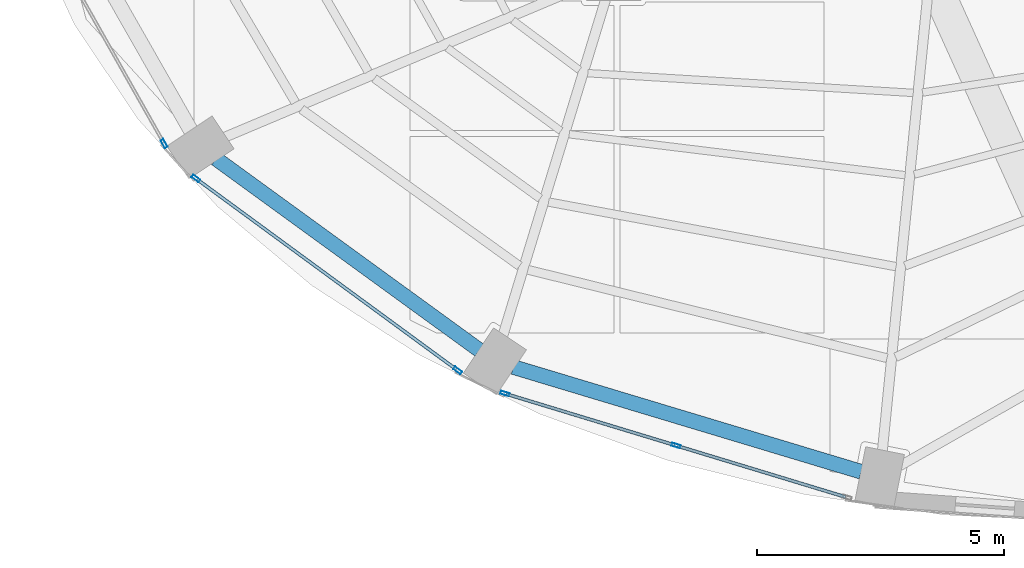
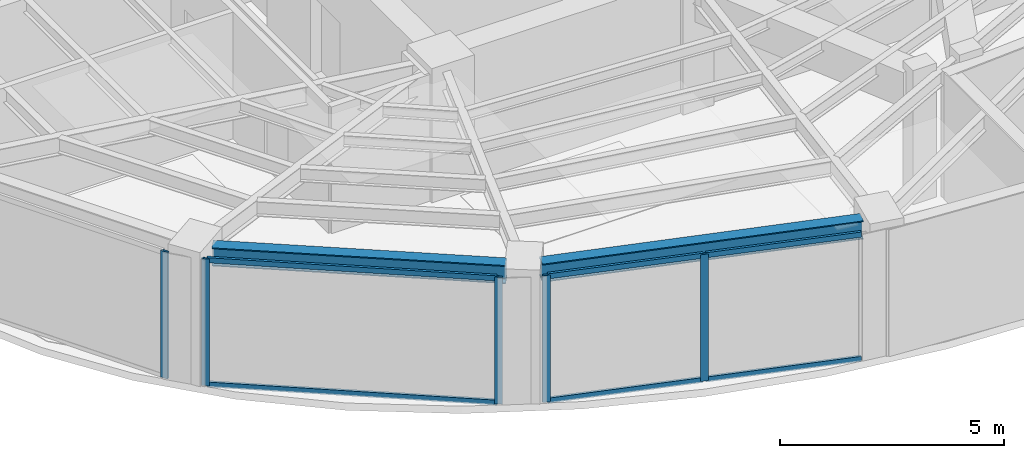
# One storey, part 2 of 23: 11 members, 2 beams, 3 elements without a shape of their own.
"""IFC4 building model written with IfcOpenShell, lengths in metres."""

import ifcopenshell
import ifcopenshell.guid

model = None  # the IFC model being written
_history = None  # IfcOwnerHistory: only IFC2X3 demands one
_inside = {}  # id of a spatial element -> (the spatial element, [elements in it])
_under = {}  # id of a project, library or spatial element -> (it, [spatial elements below it])
_declared = {}  # id of a project -> (the project, [libraries it declares])
_typed = {}  # id of a type object -> (the type object, [elements of that type])
_made_of = {}  # id of a material, layer set ... -> (it, [elements and type objects made of it])


def new_model(schema):
    """Start an empty IFC model of exactly this schema.

    Asked for "IFC4X3", IfcOpenShell would pick the latest addendum, in which some entities
    have other attributes; the version numbers below select the first issue.
    IFC2X3 requires an IfcOwnerHistory on every rooted entity: one is made here for all.
    """
    global model, _history
    if schema == "IFC4X3":
        model = ifcopenshell.file(schema_version=(4, 3, 0, 0))
    else:
        model = ifcopenshell.file(schema=schema)
    _inside.clear()
    _under.clear()
    _declared.clear()
    _typed.clear()
    _made_of.clear()
    _history = None
    if model.schema == "IFC2X3":
        org = make("IfcOrganization", Name="unknown")
        user = make(
            "IfcPersonAndOrganization",
            ThePerson=make("IfcPerson", FamilyName="unknown"),
            TheOrganization=org,
        )
        app = make(
            "IfcApplication",
            ApplicationDeveloper=org,
            Version="unknown",
            ApplicationFullName="unknown",
            ApplicationIdentifier="unknown",
        )
        _history = make(
            "IfcOwnerHistory",
            OwningUser=user,
            OwningApplication=app,
            ChangeAction="ADDED",
            CreationDate=0,
        )
    return model


def make(cls, **values):
    """One entity of the class cls with the attributes given. An attribute that is None is left unset."""
    return model.create_entity(
        cls, **{name: value for name, value in values.items() if value is not None}
    )


def rooted(cls, **values):
    """An entity with a GlobalId (a new one), such as an element, a storey or a relation."""
    return make(cls, GlobalId=ifcopenshell.guid.new(), OwnerHistory=_history, **values)


def si_unit(unit_type, name, prefix=None):
    """IfcSIUnit, for example si_unit("LENGTHUNIT", "METRE", prefix="MILLI")."""
    return make("IfcSIUnit", UnitType=unit_type, Prefix=prefix, Name=name)


def assignment(units):
    """IfcUnitAssignment: the units of a project."""
    return None if units is None else make("IfcUnitAssignment", Units=units)


def point(xyz):
    """IfcCartesianPoint."""
    return None if xyz is None else make("IfcCartesianPoint", Coordinates=xyz)


def direction(xyz):
    """IfcDirection."""
    return None if xyz is None else make("IfcDirection", DirectionRatios=xyz)


def frame(location, z_axis=None, x_axis=None):
    """IfcAxis2Placement3D, a coordinate frame: its origin and axes. An axis left out is left unset."""
    return make(
        "IfcAxis2Placement3D",
        Location=point(location),
        Axis=direction(z_axis),
        RefDirection=direction(x_axis),
    )


def frame_2d(location, x_axis=None):
    """IfcAxis2Placement2D, a coordinate frame in the plane: its origin and x axis."""
    return make(
        "IfcAxis2Placement2D", Location=point(location), RefDirection=direction(x_axis)
    )


def origin():
    """The frame at (0, 0, 0) with its axes left unset."""
    return frame((0.0, 0.0, 0.0))


def origin_2d():
    """The frame at (0, 0) in the plane with its x axis left unset."""
    return frame_2d((0.0, 0.0))


def place(relative_to, where):
    """IfcLocalPlacement: puts the frame where relative to a parent placement (None: the world)."""
    return make(
        "IfcLocalPlacement", PlacementRelTo=relative_to, RelativePlacement=where
    )


def context(
    kind, dimensions, precision=None, world=None, true_north=None, identifier=None
):
    """IfcGeometricRepresentationContext, for example the 3D "Model" context."""
    return make(
        "IfcGeometricRepresentationContext",
        ContextIdentifier=identifier,
        ContextType=kind,
        CoordinateSpaceDimension=dimensions,
        Precision=precision,
        WorldCoordinateSystem=world,
        TrueNorth=true_north,
    )


def subcontext(parent, identifier, kind, view, scale=None):
    """IfcGeometricRepresentationSubContext, for example "Body" below "Model"."""
    return make(
        "IfcGeometricRepresentationSubContext",
        ContextIdentifier=identifier,
        ContextType=kind,
        ParentContext=parent,
        TargetScale=scale,
        TargetView=view,
    )


def project(units=None, contexts=None):
    """IfcProject with its units and contexts."""
    return rooted(
        "IfcProject",
        Name="project",
        RepresentationContexts=contexts,
        UnitsInContext=assignment(units),
    )


def spatial(cls, under=None, at=None, **own):
    """A site, building, storey or space (cls), placed at a placement, below another one or the project."""
    s = rooted(cls, ObjectPlacement=at, **own)
    if under is not None:
        _under.setdefault(under.id(), (under, []))[1].append(s)
    return s


def profile(cls, at=None, kind="AREA", **sizes):
    """A parametric profile (cls). Its sizes go by their IFC names, for example OverallWidth=200.0."""
    return make(cls, ProfileType=kind, Position=at, **sizes)


def hollow_rectangle(**sizes):
    """IfcRectangleHollowProfileDef."""
    return profile("IfcRectangleHollowProfileDef", **sizes)


def i_section(**sizes):
    """IfcIShapeProfileDef."""
    return profile("IfcIShapeProfileDef", **sizes)


def extrude(swept, where, along, depth):
    """IfcExtrudedAreaSolid: the profile swept, set in the frame where, extruded along a direction by depth."""
    return make(
        "IfcExtrudedAreaSolid",
        SweptArea=swept,
        Position=where,
        ExtrudedDirection=direction(along),
        Depth=depth,
    )


def shape(context_of_items, identifier, shape_type, items):
    """IfcShapeRepresentation: the items that make up one representation, for example the "Body"."""
    return make(
        "IfcShapeRepresentation",
        ContextOfItems=context_of_items,
        RepresentationIdentifier=identifier,
        RepresentationType=shape_type,
        Items=items,
    )


def material(Name=None, Category=None):
    """IfcMaterial."""
    return make("IfcMaterial", Name=Name, Category=Category)


def layer(
    of_material, thickness, ventilated=None, Name=None, Category=None, Priority=None
):
    """IfcMaterialLayer: one layer of a wall or slab, of a material (None: an air gap)."""
    return make(
        "IfcMaterialLayer",
        Material=of_material,
        LayerThickness=thickness,
        IsVentilated=ventilated,
        Name=Name,
        Category=Category,
        Priority=Priority,
    )


def layer_set(layers, Name=None):
    """IfcMaterialLayerSet."""
    return make("IfcMaterialLayerSet", MaterialLayers=layers, LayerSetName=Name)


def material_profile(
    of_material, cross_section, Name=None, Category=None, Priority=None
):
    """IfcMaterialProfile: a cross section and its material."""
    return make(
        "IfcMaterialProfile",
        Name=Name,
        Material=of_material,
        Profile=cross_section,
        Priority=Priority,
        Category=Category,
    )


def profile_set(profiles, Name=None, composite=None):
    """IfcMaterialProfileSet."""
    return make(
        "IfcMaterialProfileSet",
        Name=Name,
        MaterialProfiles=profiles,
        CompositeProfile=composite,
    )


def made_of(thing, what):
    """Note that an element or type object is made of a material, layer set ...; save() writes the relation."""
    if what is not None:
        _made_of.setdefault(what.id(), (what, []))[1].append(thing)
    return thing


def type_object(cls, material=None, **own):
    """A type object (cls), such as IfcWallType, which elements share."""
    return made_of(rooted(cls, **own), material)


def element(
    cls,
    number,
    at=None,
    inside=None,
    cuts=None,
    type_object=None,
    material=None,
    context=None,
    identifier="Body",
    shape_type=None,
    held_by="IfcProductDefinitionShape",
    body=None,
    shapes=None,
    **own,
):
    """One element of the class cls, such as IfcWall. Its Tag is "e" and its number.

    at: its placement. inside: the storey or other place that contains it. cuts: it is an
    opening in that element (IfcRelVoidsElement). A single representation is given by context,
    identifier, shape_type and body (its items); several are given by shapes. held_by: the class
    of the entity that holds the representations. save() writes the other relations.
    """
    e = rooted(cls, Tag="e%d" % number, ObjectPlacement=at, **own)
    if body is not None:
        shapes = [shape(context, identifier, shape_type, body)]
    if shapes is not None:
        e.Representation = make(held_by, Representations=shapes)
    if inside is not None:
        _inside.setdefault(inside.id(), (inside, []))[1].append(e)
    if cuts is not None:
        rooted(
            "IfcRelVoidsElement", RelatingBuildingElement=cuts, RelatedOpeningElement=e
        )
    if type_object is not None:
        _typed.setdefault(type_object.id(), (type_object, []))[1].append(e)
    return made_of(e, material)


def aggregate(whole, parts):
    """IfcRelAggregates: a whole, such as a stair, and the parts it consists of."""
    return rooted("IfcRelAggregates", RelatingObject=whole, RelatedObjects=parts)


def save(model, path):
    """Write the relations noted so far, then the file.

    IfcRelAggregates (storeys below a building ...), IfcRelContainedInSpatialStructure (elements
    in a storey), IfcRelDefinesByType, IfcRelAssociatesMaterial and IfcRelDeclares: one each for
    every whole, place, type object, material and project.
    """
    for whole, parts in _under.values():
        aggregate(whole, parts)
    for where, things in _inside.values():
        rooted(
            "IfcRelContainedInSpatialStructure",
            RelatedElements=things,
            RelatingStructure=where,
        )
    for kind, things in _typed.values():
        rooted("IfcRelDefinesByType", RelatedObjects=things, RelatingType=kind)
    for what, things in _made_of.values():
        rooted("IfcRelAssociatesMaterial", RelatedObjects=things, RelatingMaterial=what)
    for by, libraries in _declared.values():
        rooted("IfcRelDeclares", RelatingContext=by, RelatedDefinitions=libraries)
    model.write(path)


model = new_model("IFC4")

# Units and contexts
model_context = context("Model", 3, precision=1e-05, world=origin(), true_north=direction((0.0, 1.0)))
body_context = subcontext(model_context, "Body", "Model", "MODEL_VIEW")
ifc_project = project(units=[si_unit("LENGTHUNIT", "METRE"), si_unit("AREAUNIT", "SQUARE_METRE"), si_unit("VOLUMEUNIT", "CUBIC_METRE"), si_unit("PLANEANGLEUNIT", "RADIAN"), si_unit("MASSUNIT", "GRAM", prefix="KILO")], contexts=[model_context])

# Site, building, storey
site_placement = place(None, origin())
site = spatial("IfcSite", under=ifc_project, at=site_placement, CompositionType="ELEMENT")
building_placement = place(site_placement, origin())
building = spatial("IfcBuilding", under=site, at=building_placement, Name="Lazwardi Medical Tower", CompositionType="ELEMENT")
storey_placement = place(building_placement, frame((0.0, 0.0, 198.47998046875)))
storey = spatial("IfcBuildingStorey", under=building, at=storey_placement, Name="L51", CompositionType="ELEMENT", Elevation=198.47998046875)

# Beams
ifc_material_1 = material(Name="Steel S355", Category="steel")
ifc_material_profile_1 = material_profile(ifc_material_1, i_section(OverallWidth=0.300048828125, OverallDepth=0.5, WebThickness=0.014404296875, FlangeThickness=0.028076171875, at=origin_2d()), Name="HEB 500")
ifc_profile_set_1 = profile_set([ifc_material_profile_1], Name="Steel S355")
beam_type = type_object("IfcBeamType", Name="BM-RB-Z4", PredefinedType="BEAM", material=ifc_profile_set_1)
beam_1_placement = place(storey_placement, frame((18.355712890625, 16.648193359375, 3.197998046875), z_axis=(0.808889916254, -0.587960120571, 0.0), x_axis=(0.587960120571, 0.808889916254, 0.0)))
element("IfcBeam", 1, at=beam_1_placement, inside=storey, type_object=beam_type, Name="Ring beam RB-05 B14 L51", PredefinedType="BEAM", context=body_context, shape_type="SweptSolid", body=[
    extrude(i_section(OverallWidth=0.300048828125, OverallDepth=0.5, WebThickness=0.014404296875, FlangeThickness=0.028076171875, at=origin_2d()), origin(), (0.0, 0.0, 1.0), 6.587158203125),
])
beam_2_placement = place(storey_placement, frame((24.373046875, 12.43359375, 3.197998046875), z_axis=(0.957544311906, -0.288286126506, 0.0), x_axis=(0.288286126506, 0.957544311906, 0.0)))
element("IfcBeam", 2, at=beam_2_placement, inside=storey, type_object=beam_type, Name="Ring beam RB-05 B15 L51", PredefinedType="BEAM", context=body_context, shape_type="SweptSolid", body=[
    extrude(i_section(OverallWidth=0.300048828125, OverallDepth=0.5, WebThickness=0.014404296875, FlangeThickness=0.028076171875, at=origin_2d()), origin(), (0.0, 0.0, 1.0), 7.3515625),
])

# Curtain wall, member
ifc_material_2 = material(Name="Anodised bronze aluminium and solar control glazing", Category="aluminium")
ifc_layer = layer(ifc_material_2, 0.18994140625)
ifc_layer_set = layer_set([ifc_layer], Name="Anodised bronze aluminium and solar control glazing")
curtain_wall_type = type_object("IfcCurtainWallType", Name="CW-SYS-04", PredefinedType="NOTDEFINED", material=ifc_layer_set)
curtain_wall_1_placement = place(storey_placement, origin())
curtain_wall_1 = element("IfcCurtainWall", 3, at=curtain_wall_1_placement, inside=storey, type_object=curtain_wall_type, Name="L51 Unitised bronze curtain wall CW-04", PredefinedType="NOTDEFINED")
ifc_material_3 = material(Name="Anodised bronze aluminium", Category="aluminium")
ifc_material_profile_2 = material_profile(ifc_material_3, hollow_rectangle(XDim=0.06494140625, YDim=0.179931640625, WallThickness=0.00390625, at=origin_2d()), Name="ALU-MULLION 180x65x4")
ifc_profile_set_2 = profile_set([ifc_material_profile_2], Name="Anodised bronze aluminium")
member_type_1 = type_object("IfcMemberType", Name="CW-MUL-03", PredefinedType="MULLION", material=ifc_profile_set_2)
member_1_placement = place(storey_placement, frame((17.3056640625, 16.95458984375, 0.0), z_axis=(0.0, 0.0, 1.0), x_axis=(0.870651436011, 0.491900474661, 0.0)))
member_1 = element("IfcMember", 4, at=member_1_placement, type_object=member_type_1, Name="CW-04 mullion 2", PredefinedType="MULLION", context=body_context, shape_type="SweptSolid", body=[
    extrude(hollow_rectangle(XDim=0.06494140625, YDim=0.179931640625, WallThickness=0.00390625, at=origin_2d()), origin(), (0.0, 0.0, 1.0), 3.447998046875),
])
aggregate(curtain_wall_1, [member_1])

# Curtain wall, members
curtain_wall_2_placement = place(storey_placement, origin())
curtain_wall_2 = element("IfcCurtainWall", 5, at=curtain_wall_2_placement, inside=storey, type_object=curtain_wall_type, Name="L51 Unitised bronze curtain wall CW-04", PredefinedType="NOTDEFINED")
member_2_placement = place(storey_placement, frame((17.947998046875, 16.248291015625, 0.0), z_axis=(0.0, 0.0, 1.0), x_axis=(0.591268230971, 0.806474971121, 0.0)))
member_2 = element("IfcMember", 6, at=member_2_placement, type_object=member_type_1, Name="CW-04 mullion 1", PredefinedType="MULLION", context=body_context, shape_type="SweptSolid", body=[
    extrude(hollow_rectangle(XDim=0.06494140625, YDim=0.179931640625, WallThickness=0.00390625, at=origin_2d()), origin(), (0.0, 0.0, 1.0), 3.447998046875),
])
member_3_placement = place(storey_placement, frame((23.24462890625, 12.365234375, 0.0), z_axis=(0.0, 0.0, 1.0), x_axis=(0.591268230971, 0.806474971121, 0.0)))
member_3 = element("IfcMember", 7, at=member_3_placement, type_object=member_type_1, Name="CW-04 mullion 2", PredefinedType="MULLION", context=body_context, shape_type="SweptSolid", body=[
    extrude(hollow_rectangle(XDim=0.06494140625, YDim=0.179931640625, WallThickness=0.00390625, at=origin_2d()), origin(), (0.0, 0.0, 1.0), 3.447998046875),
])

curtain_wall_3_placement = place(storey_placement, origin())
curtain_wall_3 = element("IfcCurtainWall", 8, at=curtain_wall_3_placement, inside=storey, type_object=curtain_wall_type, Name="L51 Unitised bronze curtain wall CW-04", PredefinedType="NOTDEFINED")
member_4_placement = place(storey_placement, frame((24.2001953125, 11.896484375, 0.0), z_axis=(0.0, 0.0, 1.0), x_axis=(0.290581889515, 0.956850126972, 0.0)))
member_4 = element("IfcMember", 9, at=member_4_placement, type_object=member_type_1, Name="CW-04 mullion 1", PredefinedType="MULLION", context=body_context, shape_type="SweptSolid", body=[
    extrude(hollow_rectangle(XDim=0.06494140625, YDim=0.179931640625, WallThickness=0.00390625, at=origin_2d()), origin(), (0.0, 0.0, 1.0), 3.447998046875),
])
member_5_placement = place(storey_placement, frame((27.66357421875, 10.8447265625, 0.0), z_axis=(0.0, 0.0, 1.0), x_axis=(0.290581889515, 0.956850126972, 0.0)))
member_5 = element("IfcMember", 10, at=member_5_placement, type_object=member_type_1, Name="CW-04 mullion 2", PredefinedType="MULLION", context=body_context, shape_type="SweptSolid", body=[
    extrude(hollow_rectangle(XDim=0.06494140625, YDim=0.179931640625, WallThickness=0.00390625, at=origin_2d()), origin(), (0.0, 0.0, 1.0), 3.447998046875),
])

# Member
ifc_material_profile_3 = material_profile(ifc_material_3, hollow_rectangle(XDim=0.06494140625, YDim=0.139892578125, WallThickness=0.00341796875, at=origin_2d()), Name="ALU-TRANSOM 140x65x3.5")
ifc_profile_set_3 = profile_set([ifc_material_profile_3], Name="Anodised bronze aluminium")
member_type_2 = type_object("IfcMemberType", Name="CW-TRN-03", PredefinedType="USERDEFINED", material=ifc_profile_set_3)
member_6_placement = place(storey_placement, frame((17.97412109375, 16.229248046875, 0.032470703125), z_axis=(0.806471831148, -0.591272513791, 0.0), x_axis=(0.591272513791, 0.806471831148, 0.0)))
member_6 = element("IfcMember", 11, at=member_6_placement, type_object=member_type_2, Name="CW-04 transom 1.1", ObjectType="TRANSOM", PredefinedType="USERDEFINED", context=body_context, shape_type="SweptSolid", body=[
    extrude(hollow_rectangle(XDim=0.06494140625, YDim=0.139892578125, WallThickness=0.00341796875, at=origin_2d()), origin(), (0.0, 0.0, 1.0), 6.5029296875),
])

member_7_placement = place(storey_placement, frame((17.97412109375, 16.229248046875, 3.41552734375), z_axis=(0.806471831148, -0.591272513791, 0.0), x_axis=(0.591272513791, 0.806471831148, 0.0)))
member_7 = element("IfcMember", 12, at=member_7_placement, type_object=member_type_2, Name="CW-04 transom 1.2", ObjectType="TRANSOM", PredefinedType="USERDEFINED", context=body_context, shape_type="SweptSolid", body=[
    extrude(hollow_rectangle(XDim=0.06494140625, YDim=0.139892578125, WallThickness=0.00341796875, at=origin_2d()), origin(), (0.0, 0.0, 1.0), 6.5029296875),
])

aggregate(curtain_wall_2, [member_2, member_3, member_6, member_7])

member_8_placement = place(storey_placement, frame((24.2314453125, 11.886962890625, 0.032470703125), z_axis=(0.956862505902, -0.290541124109, 0.0), x_axis=(0.290541124109, 0.956862505902, 0.0)))
member_8 = element("IfcMember", 13, at=member_8_placement, type_object=member_type_2, Name="CW-04 transom 1.1", ObjectType="TRANSOM", PredefinedType="USERDEFINED", context=body_context, shape_type="SweptSolid", body=[
    extrude(hollow_rectangle(XDim=0.06494140625, YDim=0.139892578125, WallThickness=0.00341796875, at=origin_2d()), origin(), (0.0, 0.0, 1.0), 3.554443359375),
])

member_9_placement = place(storey_placement, frame((24.2314453125, 11.886962890625, 3.41552734375), z_axis=(0.956862505902, -0.290541124109, 0.0), x_axis=(0.290541124109, 0.956862505902, 0.0)))
member_9 = element("IfcMember", 14, at=member_9_placement, type_object=member_type_2, Name="CW-04 transom 1.2", ObjectType="TRANSOM", PredefinedType="USERDEFINED", context=body_context, shape_type="SweptSolid", body=[
    extrude(hollow_rectangle(XDim=0.06494140625, YDim=0.139892578125, WallThickness=0.00341796875, at=origin_2d()), origin(), (0.0, 0.0, 1.0), 3.554443359375),
])

member_10_placement = place(storey_placement, frame((27.694580078125, 10.835205078125, 0.032470703125), z_axis=(0.956862505902, -0.290541124109, 0.0), x_axis=(0.290541124109, 0.956862505902, 0.0)))
member_10 = element("IfcMember", 15, at=member_10_placement, type_object=member_type_2, Name="CW-04 transom 2.1", ObjectType="TRANSOM", PredefinedType="USERDEFINED", context=body_context, shape_type="SweptSolid", body=[
    extrude(hollow_rectangle(XDim=0.06494140625, YDim=0.139892578125, WallThickness=0.00341796875, at=origin_2d()), origin(), (0.0, 0.0, 1.0), 3.554443359375),
])

member_11_placement = place(storey_placement, frame((27.694580078125, 10.835205078125, 3.41552734375), z_axis=(0.956862505902, -0.290541124109, 0.0), x_axis=(0.290541124109, 0.956862505902, 0.0)))
member_11 = element("IfcMember", 16, at=member_11_placement, type_object=member_type_2, Name="CW-04 transom 2.2", ObjectType="TRANSOM", PredefinedType="USERDEFINED", context=body_context, shape_type="SweptSolid", body=[
    extrude(hollow_rectangle(XDim=0.06494140625, YDim=0.139892578125, WallThickness=0.00341796875, at=origin_2d()), origin(), (0.0, 0.0, 1.0), 3.554443359375),
])

aggregate(curtain_wall_3, [member_4, member_5, member_8, member_9, member_10, member_11])

save(model, "model.ifc")
